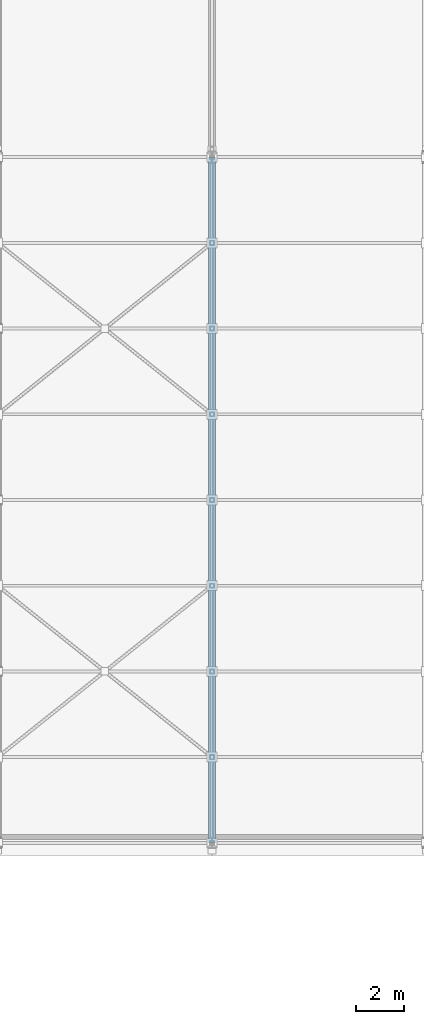
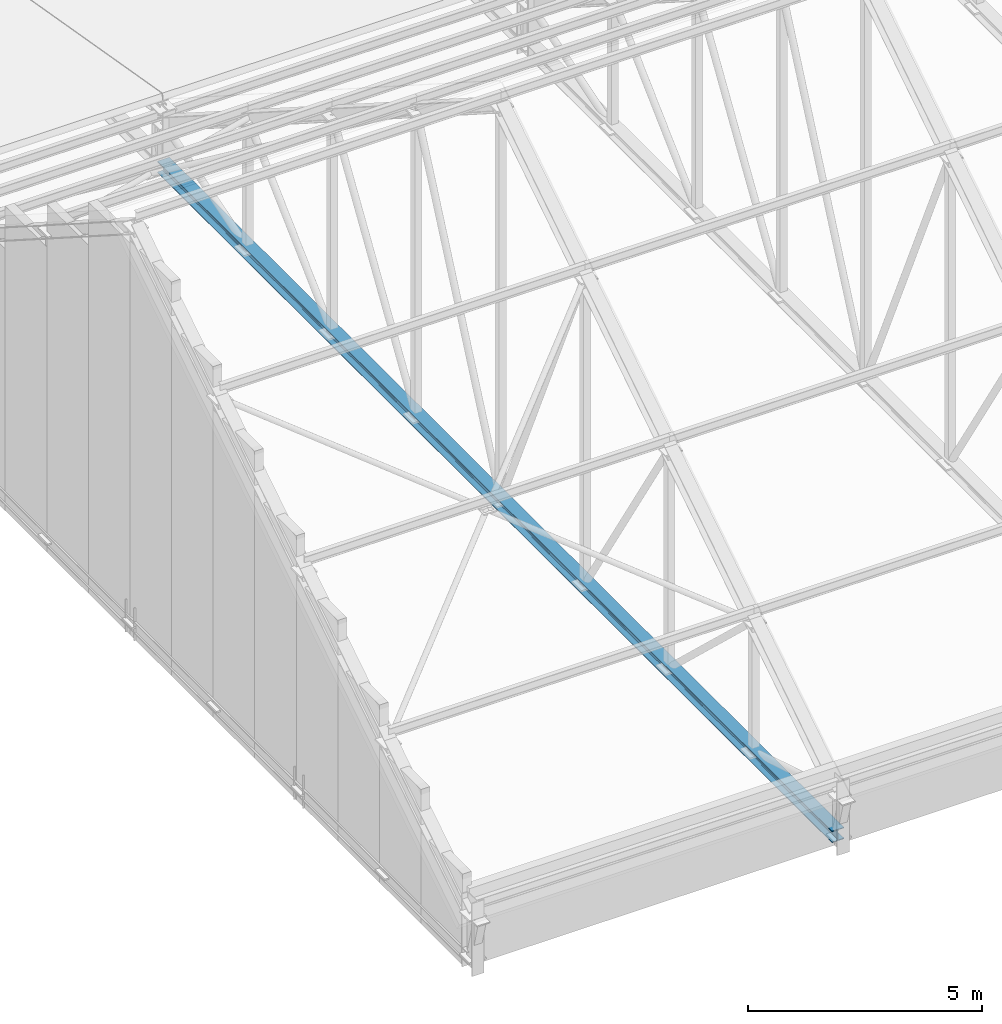
# One storey, part 83 of 182: 1 member.
"""IFC4 building model written with IfcOpenShell, lengths in metres."""

from ifc_helpers import new_model, si_unit, direction, frame, origin, origin_2d, place, context, subcontext, project, spatial, i_section, extrude, material, material_profile, profile_set, type_object, element, save


model = new_model("IFC4")

# Units and contexts
model_context = context("Model", 3, precision=1e-05, world=origin(), true_north=direction((0.0, 1.0)))
body_context = subcontext(model_context, "Body", "Model", "MODEL_VIEW")
ifc_project = project(units=[si_unit("LENGTHUNIT", "METRE"), si_unit("AREAUNIT", "SQUARE_METRE"), si_unit("VOLUMEUNIT", "CUBIC_METRE"), si_unit("PLANEANGLEUNIT", "RADIAN"), si_unit("MASSUNIT", "GRAM", prefix="KILO")], contexts=[model_context])

# Site, building, storey
site_placement = place(None, origin())
site = spatial("IfcSite", under=ifc_project, at=site_placement, CompositionType="ELEMENT")
building_placement = place(site_placement, origin())
building = spatial("IfcBuilding", under=site, at=building_placement, Name="Chiffa Square Polytechnic", CompositionType="ELEMENT")
storey_placement = place(building_placement, frame((0.0, 0.0, 9.60009765625)))
storey = spatial("IfcBuildingStorey", under=building, at=storey_placement, Name="L02", CompositionType="ELEMENT", Elevation=9.60009765625)

# Member
ifc_material = material(Name="Steel S355", Category="steel")
ifc_material_profile = material_profile(ifc_material, i_section(OverallWidth=0.300048828125, OverallDepth=0.300048828125, WebThickness=0.010986328125, FlangeThickness=0.01904296875, FilletRadius=0.027099609375, at=origin_2d()), Name="HEB 300")
ifc_profile_set = profile_set([ifc_material_profile], Name="Steel S355")
member_type = type_object("IfcMemberType", Name="MEM-CHORD-HEB300", PredefinedType="CHORD", material=ifc_profile_set)
member_placement = place(storey_placement, frame((121.199951171875, 58.199951171875, 0.349853515625), z_axis=(0.0, 1.0, 0.0), x_axis=(-1.0, 0.0, 0.0)))
element("IfcMember", 1, at=member_placement, inside=storey, type_object=member_type, Name="Workshop roof truss bottom chord TCB-V2-02", PredefinedType="CHORD", context=body_context, shape_type="SweptSolid", body=[
    extrude(i_section(OverallWidth=0.300048828125, OverallDepth=0.300048828125, WebThickness=0.010986328125, FlangeThickness=0.01904296875, FilletRadius=0.027099609375, at=origin_2d()), origin(), (0.0, 0.0, 1.0), 28.800048828125),
])

save(model, "model.ifc")
